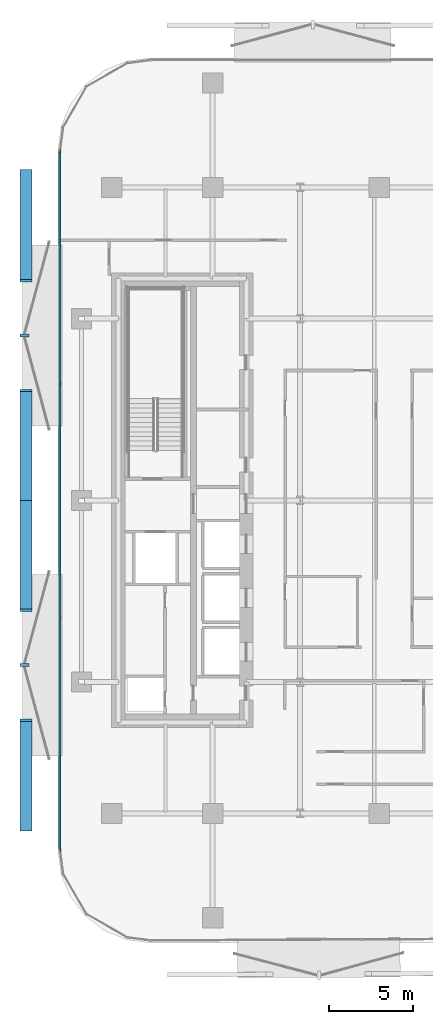
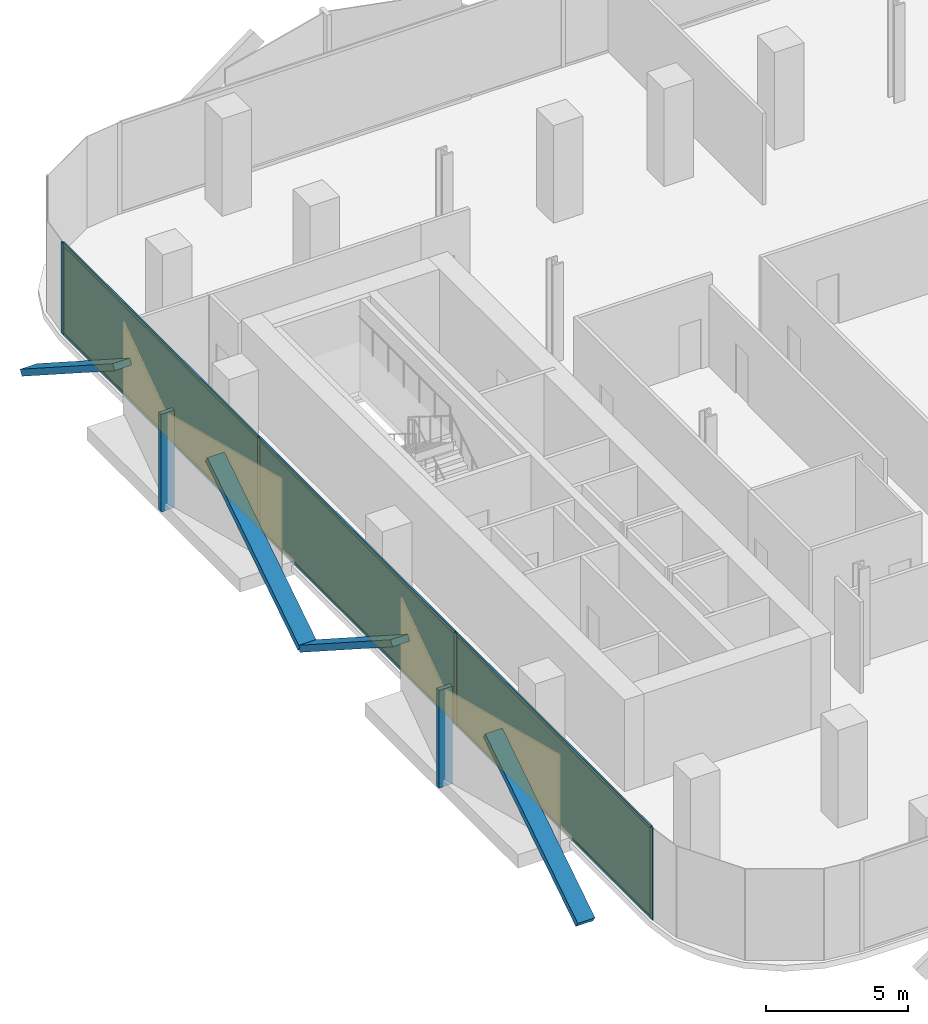
# One storey, part 8 of 15: 16 members, 3 plates, 1 curtain wall.
"""IFC4 building model written with IfcOpenShell, lengths in metres."""

from ifc_helpers import new_model, si_unit, direction, frame, frame_2d, origin, origin_2d, place, context, subcontext, project, spatial, rectangle, extrude, material, layer, layer_set, material_profile, profile_set, type_object, element, aggregate, save


model = new_model("IFC4")

# Units and contexts
model_context = context("Model", 3, precision=1e-05, world=origin(), true_north=direction((0.0, 1.0)))
body_context = subcontext(model_context, "Body", "Model", "MODEL_VIEW")
ifc_project = project(units=[si_unit("LENGTHUNIT", "METRE"), si_unit("AREAUNIT", "SQUARE_METRE"), si_unit("VOLUMEUNIT", "CUBIC_METRE"), si_unit("PLANEANGLEUNIT", "RADIAN"), si_unit("MASSUNIT", "GRAM", prefix="KILO")], contexts=[model_context])

# Member
ifc_material_1 = material(Name="Anodised Bronze Aluminium 6063-T6", Category="aluminium")
ifc_material_profile_1 = material_profile(ifc_material_1, rectangle(XDim=0.260009765625, YDim=0.699951171875, at=origin_2d()))
ifc_profile_set_1 = profile_set([ifc_material_profile_1], Name="Anodised Bronze Aluminium 6063-T6")
member_type_1 = type_object("IfcMemberType", Name="Bronze Diamond Solar-Screen Lattice Rib BDL-700", PredefinedType="MULLION", material=ifc_profile_set_1)
site_placement = place(None, origin())
building_placement = place(site_placement, origin())
storey_placement = place(building_placement, frame((0.0, 0.0, 105.800048828125)))
member_1_placement = place(storey_placement, frame((-25.5, -19.5908203125, -0.130126953125), z_axis=(0.0, 0.841051770023, 0.540954637785), x_axis=(0.0, -0.540954637785, 0.841051770023)))
member_1 = element("IfcMember", 1, at=member_1_placement, type_object=member_type_1, Name="L24 Bronze Diamond Solar Screen Lattice Rib 139A", PredefinedType="MULLION", context=body_context, shape_type="SweptSolid", body=[
    extrude(rectangle(XDim=0.260009765625, YDim=0.699951171875, at=origin_2d()), origin(), (0.0, 0.0, 1.0), 7.764404296875),
])

member_2_placement = place(storey_placement, frame((-25.5, 0.0, -0.130126953125), z_axis=(0.0, -0.841051770023, 0.540954637785), x_axis=(0.0, 0.540954637785, 0.841051770023)))
member_2 = element("IfcMember", 2, at=member_2_placement, type_object=member_type_1, Name="L24 Bronze Diamond Solar Screen Lattice Rib 139B", PredefinedType="MULLION", context=body_context, shape_type="SweptSolid", body=[
    extrude(rectangle(XDim=0.260009765625, YDim=0.699951171875, at=origin_2d()), origin(), (0.0, 0.0, 1.0), 7.764404296875),
])

member_3_placement = place(storey_placement, frame((-25.5, 0.0, -0.130126953125), z_axis=(0.0, 0.841051770023, 0.540954637785), x_axis=(0.0, -0.540954637785, 0.841051770023)))
member_3 = element("IfcMember", 3, at=member_3_placement, type_object=member_type_1, Name="L24 Bronze Diamond Solar Screen Lattice Rib 140A", PredefinedType="MULLION", context=body_context, shape_type="SweptSolid", body=[
    extrude(rectangle(XDim=0.260009765625, YDim=0.699951171875, at=origin_2d()), origin(), (0.0, 0.0, 1.0), 7.764404296875),
])

member_4_placement = place(storey_placement, frame((-25.5, 19.5908203125, -0.130126953125), z_axis=(0.0, -0.841051770023, 0.540954637785), x_axis=(0.0, 0.540954637785, 0.841051770023)))
member_4 = element("IfcMember", 4, at=member_4_placement, type_object=member_type_1, Name="L24 Bronze Diamond Solar Screen Lattice Rib 140B", PredefinedType="MULLION", context=body_context, shape_type="SweptSolid", body=[
    extrude(rectangle(XDim=0.260009765625, YDim=0.699951171875, at=origin_2d()), origin(), (0.0, 0.0, 1.0), 7.764404296875),
])

ifc_material_2 = material(Name="Anodised Bronze Aluminium 6063-T6", Category="aluminium")
ifc_material_profile_2 = material_profile(ifc_material_2, rectangle(XDim=0.179931640625, YDim=0.5400390625, at=origin_2d()))
ifc_profile_set_2 = profile_set([ifc_material_profile_2], Name="Anodised Bronze Aluminium 6063-T6")
member_type_2 = type_object("IfcMemberType", Name="Bronze Solar-Screen Vertical Fold Fin BSF-540", PredefinedType="MULLION", material=ifc_profile_set_2)
member_5_placement = place(storey_placement, frame((-25.580078125, -9.79541015625, -0.130126953125), z_axis=(0.0, 0.0, 1.0), x_axis=(0.0, 1.0, 0.0)))
member_5 = element("IfcMember", 5, at=member_5_placement, type_object=member_type_2, Name="L24 Bronze Solar Screen Vertical Fin 139", PredefinedType="MULLION", context=body_context, shape_type="SweptSolid", body=[
    extrude(rectangle(XDim=0.179931640625, YDim=0.5400390625, at=origin_2d()), origin(), (0.0, 0.0, 1.0), 4.2001953125),
])

member_6_placement = place(storey_placement, frame((-25.580078125, 9.79541015625, -0.130126953125), z_axis=(0.0, 0.0, 1.0), x_axis=(0.0, 1.0, 0.0)))
member_6 = element("IfcMember", 6, at=member_6_placement, type_object=member_type_2, Name="L24 Bronze Solar Screen Vertical Fin 140", PredefinedType="MULLION", context=body_context, shape_type="SweptSolid", body=[
    extrude(rectangle(XDim=0.179931640625, YDim=0.5400390625, at=origin_2d()), origin(), (0.0, 0.0, 1.0), 4.2001953125),
])

ifc_material_3 = material(Name="Anodised Bronze Aluminium 6063-T6", Category="aluminium")
ifc_material_profile_3 = material_profile(ifc_material_3, rectangle(XDim=0.06494140625, YDim=0.175048828125, at=origin_2d()))
ifc_profile_set_3 = profile_set([ifc_material_profile_3], Name="Anodised Bronze Aluminium 6063-T6")
member_type_3 = type_object("IfcMemberType", Name="CW-Z2 Mullion 65x175", PredefinedType="MULLION", material=ifc_profile_set_3)
member_7_placement = place(storey_placement, frame((-23.4599609375, -20.75830078125, 0.0), z_axis=(0.0, 0.0, 1.0), x_axis=(-1.0, 0.0, 0.0)))
member_7 = element("IfcMember", 7, at=member_7_placement, type_object=member_type_3, Name="CW-Z2 mullion 1", PredefinedType="MULLION", context=body_context, shape_type="SweptSolid", body=[
    extrude(rectangle(XDim=0.06494140625, YDim=0.175048828125, at=origin_2d()), origin(), (0.0, 0.0, 1.0), 3.93994140625),
])

member_8_placement = place(storey_placement, frame((-23.4599609375, -6.93017578125, 0.0), z_axis=(0.0, 0.0, 1.0), x_axis=(-1.0, 0.0, 0.0)))
member_8 = element("IfcMember", 8, at=member_8_placement, type_object=member_type_3, Name="CW-Z2 mullion 2", PredefinedType="MULLION", context=body_context, shape_type="SweptSolid", body=[
    extrude(rectangle(XDim=0.06494140625, YDim=0.175048828125, at=origin_2d()), origin(), (0.0, 0.0, 1.0), 3.93994140625),
])

member_9_placement = place(storey_placement, frame((-23.4599609375, 6.93017578125, 0.0), z_axis=(0.0, 0.0, 1.0), x_axis=(-1.0, 0.0, 0.0)))
member_9 = element("IfcMember", 9, at=member_9_placement, type_object=member_type_3, Name="CW-Z2 mullion 3", PredefinedType="MULLION", context=body_context, shape_type="SweptSolid", body=[
    extrude(rectangle(XDim=0.06494140625, YDim=0.175048828125, at=origin_2d()), origin(), (0.0, 0.0, 1.0), 3.93994140625),
])

member_10_placement = place(storey_placement, frame((-23.4599609375, 20.75830078125, 0.0), z_axis=(0.0, 0.0, 1.0), x_axis=(-1.0, 0.0, 0.0)))
member_10 = element("IfcMember", 10, at=member_10_placement, type_object=member_type_3, Name="CW-Z2 mullion 4", PredefinedType="MULLION", context=body_context, shape_type="SweptSolid", body=[
    extrude(rectangle(XDim=0.06494140625, YDim=0.175048828125, at=origin_2d()), origin(), (0.0, 0.0, 1.0), 3.93994140625),
])

ifc_material_4 = material(Name="Anodised Bronze Aluminium 6063-T6", Category="aluminium")
ifc_material_profile_4 = material_profile(ifc_material_4, rectangle(XDim=0.06494140625, YDim=0.135009765625, at=origin_2d()))
ifc_profile_set_4 = profile_set([ifc_material_profile_4], Name="Anodised Bronze Aluminium 6063-T6")
member_type_4 = type_object("IfcMemberType", Name="CW-Z2 Transom 65x135", PredefinedType="USERDEFINED", material=ifc_profile_set_4)
member_11_placement = place(storey_placement, frame((-23.4599609375, -20.725830078125, 0.032470703125), z_axis=(0.0, 1.0, 0.0), x_axis=(-1.0, 0.0, 0.0)))
member_11 = element("IfcMember", 11, at=member_11_placement, type_object=member_type_4, Name="CW-Z2 transom 1.1", ObjectType="TRANSOM", PredefinedType="USERDEFINED", context=body_context, shape_type="SweptSolid", body=[
    extrude(rectangle(XDim=0.06494140625, YDim=0.135009765625, at=origin_2d()), origin(), (0.0, 0.0, 1.0), 13.76318359375),
])

member_12_placement = place(storey_placement, frame((-23.4599609375, -20.725830078125, 3.907470703125), z_axis=(0.0, 1.0, 0.0), x_axis=(-1.0, 0.0, 0.0)))
member_12 = element("IfcMember", 12, at=member_12_placement, type_object=member_type_4, Name="CW-Z2 transom 1.2", ObjectType="TRANSOM", PredefinedType="USERDEFINED", context=body_context, shape_type="SweptSolid", body=[
    extrude(rectangle(XDim=0.06494140625, YDim=0.135009765625, at=origin_2d()), origin(), (0.0, 0.0, 1.0), 13.76318359375),
])

member_13_placement = place(storey_placement, frame((-23.4599609375, -6.897705078125, 0.032470703125), z_axis=(0.0, 1.0, 0.0), x_axis=(-1.0, 0.0, 0.0)))
member_13 = element("IfcMember", 13, at=member_13_placement, type_object=member_type_4, Name="CW-Z2 transom 2.1", ObjectType="TRANSOM", PredefinedType="USERDEFINED", context=body_context, shape_type="SweptSolid", body=[
    extrude(rectangle(XDim=0.06494140625, YDim=0.135009765625, at=origin_2d()), origin(), (0.0, 0.0, 1.0), 13.79541015625),
])

member_14_placement = place(storey_placement, frame((-23.4599609375, -6.897705078125, 3.907470703125), z_axis=(0.0, 1.0, 0.0), x_axis=(-1.0, 0.0, 0.0)))
member_14 = element("IfcMember", 14, at=member_14_placement, type_object=member_type_4, Name="CW-Z2 transom 2.2", ObjectType="TRANSOM", PredefinedType="USERDEFINED", context=body_context, shape_type="SweptSolid", body=[
    extrude(rectangle(XDim=0.06494140625, YDim=0.135009765625, at=origin_2d()), origin(), (0.0, 0.0, 1.0), 13.79541015625),
])

member_15_placement = place(storey_placement, frame((-23.4599609375, 6.962646484375, 0.032470703125), z_axis=(0.0, 1.0, 0.0), x_axis=(-1.0, 0.0, 0.0)))
member_15 = element("IfcMember", 15, at=member_15_placement, type_object=member_type_4, Name="CW-Z2 transom 3.1", ObjectType="TRANSOM", PredefinedType="USERDEFINED", context=body_context, shape_type="SweptSolid", body=[
    extrude(rectangle(XDim=0.06494140625, YDim=0.135009765625, at=origin_2d()), origin(), (0.0, 0.0, 1.0), 13.76318359375),
])

member_16_placement = place(storey_placement, frame((-23.4599609375, 6.962646484375, 3.907470703125), z_axis=(0.0, 1.0, 0.0), x_axis=(-1.0, 0.0, 0.0)))
member_16 = element("IfcMember", 16, at=member_16_placement, type_object=member_type_4, Name="CW-Z2 transom 3.2", ObjectType="TRANSOM", PredefinedType="USERDEFINED", context=body_context, shape_type="SweptSolid", body=[
    extrude(rectangle(XDim=0.06494140625, YDim=0.135009765625, at=origin_2d()), origin(), (0.0, 0.0, 1.0), 13.76318359375),
])

# Plate
ifc_material_5 = material(Name="Low-E Solar Control Laminated Glass", Category="glass")
ifc_layer_1 = layer(ifc_material_5, 0.028076171875, Name="Low-E Solar Control Laminated Glass")
ifc_layer_set_1 = layer_set([ifc_layer_1], Name="Low-E Solar Control Laminated Glass")
plate_type = type_object("IfcPlateType", Name="CW-Z2 Low-E Double Glazed Panel 28mm", PredefinedType="CURTAIN_PANEL", material=ifc_layer_set_1)
plate_1_placement = place(storey_placement, frame((-23.4599609375, -13.84423828125, 0.06494140625), z_axis=(0.0, 0.0, 1.0), x_axis=(0.0, 1.0, 0.0)))
plate_1 = element("IfcPlate", 17, at=plate_1_placement, type_object=plate_type, Name="CW-Z2 panel 1.1", PredefinedType="CURTAIN_PANEL", context=body_context, shape_type="SweptSolid", body=[
    extrude(rectangle(XDim=13.762939453125, YDim=0.028076171875, at=origin_2d()), origin(), (0.0, 0.0, 1.0), 3.81005859375),
])

plate_2_placement = place(storey_placement, frame((-23.4599609375, 0.0, 0.06494140625), z_axis=(0.0, 0.0, 1.0), x_axis=(0.0, 1.0, 0.0)))
plate_2 = element("IfcPlate", 18, at=plate_2_placement, type_object=plate_type, Name="CW-Z2 panel 2.1", PredefinedType="CURTAIN_PANEL", context=body_context, shape_type="SweptSolid", body=[
    extrude(rectangle(XDim=13.795654296875, YDim=0.028076171875, at=origin_2d()), origin(), (0.0, 0.0, 1.0), 3.81005859375),
])

plate_3_placement = place(storey_placement, frame((-23.4599609375, 13.84423828125, 0.06494140625), z_axis=(0.0, 0.0, 1.0), x_axis=(0.0, 1.0, 0.0)))
plate_3 = element("IfcPlate", 19, at=plate_3_placement, type_object=plate_type, Name="CW-Z2 panel 3.1", PredefinedType="CURTAIN_PANEL", context=body_context, shape_type="SweptSolid", body=[
    extrude(rectangle(XDim=13.762939453125, YDim=0.028076171875, at=origin_2d()), origin(), (0.0, 0.0, 1.0), 3.81005859375),
])

# Site, building, storey
site = spatial("IfcSite", under=ifc_project, at=site_placement, CompositionType="ELEMENT")
building = spatial("IfcBuilding", under=site, at=building_placement, Name="Khairoan Windgate Tower", CompositionType="ELEMENT")
storey = spatial("IfcBuildingStorey", under=building, at=storey_placement, Name="L24", CompositionType="ELEMENT", Elevation=105.800048828125)

# Curtain wall
ifc_material_6 = material(Name="Anodised Bronze Aluminium 6063-T6", Category="aluminium")
ifc_layer_2 = layer(ifc_material_6, 0.175048828125, Name="Anodised Bronze Aluminium 6063-T6")
ifc_layer_set_2 = layer_set([ifc_layer_2], Name="Anodised Bronze Aluminium 6063-T6")
curtain_wall_type = type_object("IfcCurtainWallType", Name="Mid-Rise Office Unitised Curtain Wall CW-Z2", PredefinedType="NOTDEFINED", material=ifc_layer_set_2)
curtain_wall_placement = place(storey_placement, frame((-23.4599609375, -20.790771484375, 0.0), z_axis=(0.0, 0.0, 1.0), x_axis=(0.0, 1.0, 0.0)))
curtain_wall = element("IfcCurtainWall", 20, at=curtain_wall_placement, inside=storey, type_object=curtain_wall_type, Name="L24 Unitised Curtain Wall 6", PredefinedType="NOTDEFINED", context=body_context, shape_type="SweptSolid", body=[
    extrude(rectangle(XDim=41.58154296875, YDim=0.010009765625, at=frame_2d((20.790771484375, 0.0))), origin(), (0.0, 0.0, 1.0), 3.93994140625),
])

aggregate(curtain_wall, [member_7, member_8, member_9, member_10, member_11, member_12, plate_1, member_13, member_14, plate_2, member_15, member_16, plate_3, member_1, member_2, member_5, member_3, member_4, member_6])

save(model, "model.ifc")
